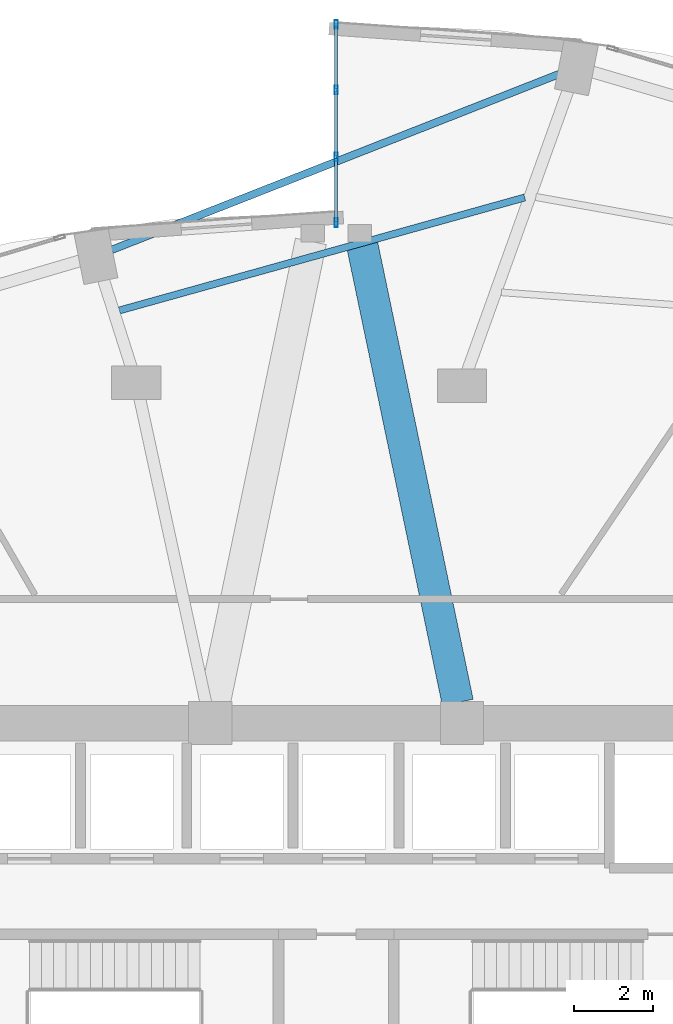
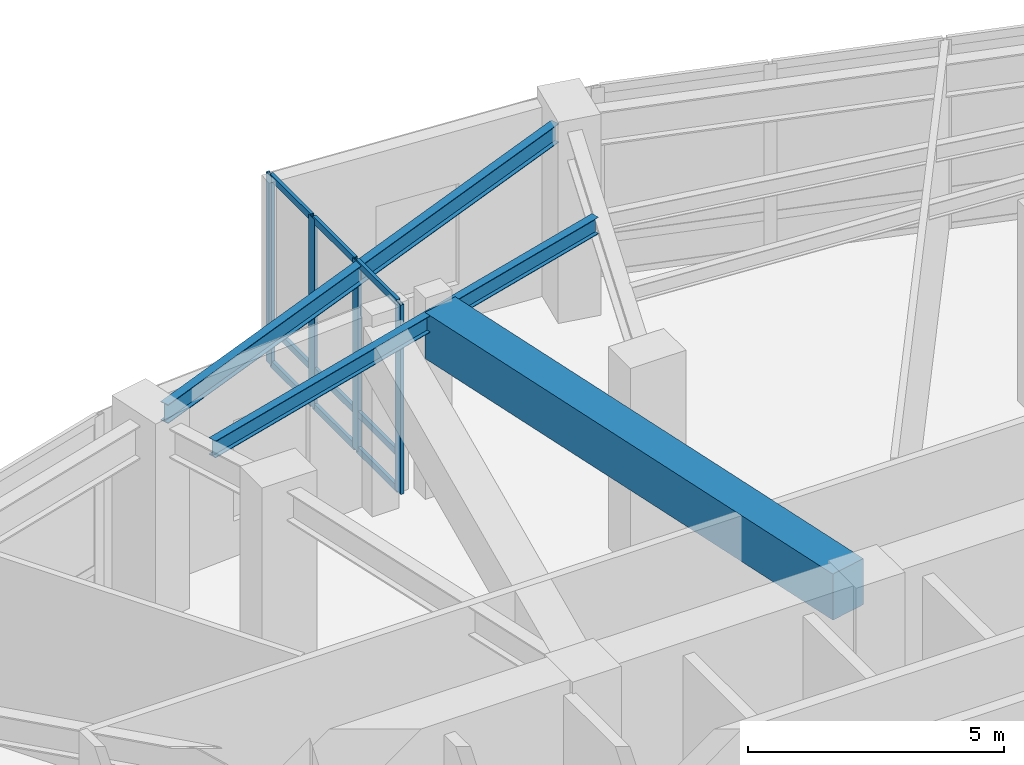
# One storey, part 15 of 24: 13 members, 3 beams, 1 element without a shape of its own.
"""IFC4 building model written with IfcOpenShell, lengths in metres."""

import ifcopenshell
import ifcopenshell.guid

model = None  # the IFC model being written
_history = None  # IfcOwnerHistory: only IFC2X3 demands one
_inside = {}  # id of a spatial element -> (the spatial element, [elements in it])
_under = {}  # id of a project, library or spatial element -> (it, [spatial elements below it])
_declared = {}  # id of a project -> (the project, [libraries it declares])
_typed = {}  # id of a type object -> (the type object, [elements of that type])
_made_of = {}  # id of a material, layer set ... -> (it, [elements and type objects made of it])


def new_model(schema):
    """Start an empty IFC model of exactly this schema.

    Asked for "IFC4X3", IfcOpenShell would pick the latest addendum, in which some entities
    have other attributes; the version numbers below select the first issue.
    IFC2X3 requires an IfcOwnerHistory on every rooted entity: one is made here for all.
    """
    global model, _history
    if schema == "IFC4X3":
        model = ifcopenshell.file(schema_version=(4, 3, 0, 0))
    else:
        model = ifcopenshell.file(schema=schema)
    _inside.clear()
    _under.clear()
    _declared.clear()
    _typed.clear()
    _made_of.clear()
    _history = None
    if model.schema == "IFC2X3":
        org = make("IfcOrganization", Name="unknown")
        user = make(
            "IfcPersonAndOrganization",
            ThePerson=make("IfcPerson", FamilyName="unknown"),
            TheOrganization=org,
        )
        app = make(
            "IfcApplication",
            ApplicationDeveloper=org,
            Version="unknown",
            ApplicationFullName="unknown",
            ApplicationIdentifier="unknown",
        )
        _history = make(
            "IfcOwnerHistory",
            OwningUser=user,
            OwningApplication=app,
            ChangeAction="ADDED",
            CreationDate=0,
        )
    return model


def make(cls, **values):
    """One entity of the class cls with the attributes given. An attribute that is None is left unset."""
    return model.create_entity(
        cls, **{name: value for name, value in values.items() if value is not None}
    )


def rooted(cls, **values):
    """An entity with a GlobalId (a new one), such as an element, a storey or a relation."""
    return make(cls, GlobalId=ifcopenshell.guid.new(), OwnerHistory=_history, **values)


def si_unit(unit_type, name, prefix=None):
    """IfcSIUnit, for example si_unit("LENGTHUNIT", "METRE", prefix="MILLI")."""
    return make("IfcSIUnit", UnitType=unit_type, Prefix=prefix, Name=name)


def assignment(units):
    """IfcUnitAssignment: the units of a project."""
    return None if units is None else make("IfcUnitAssignment", Units=units)


def point(xyz):
    """IfcCartesianPoint."""
    return None if xyz is None else make("IfcCartesianPoint", Coordinates=xyz)


def direction(xyz):
    """IfcDirection."""
    return None if xyz is None else make("IfcDirection", DirectionRatios=xyz)


def frame(location, z_axis=None, x_axis=None):
    """IfcAxis2Placement3D, a coordinate frame: its origin and axes. An axis left out is left unset."""
    return make(
        "IfcAxis2Placement3D",
        Location=point(location),
        Axis=direction(z_axis),
        RefDirection=direction(x_axis),
    )


def frame_2d(location, x_axis=None):
    """IfcAxis2Placement2D, a coordinate frame in the plane: its origin and x axis."""
    return make(
        "IfcAxis2Placement2D", Location=point(location), RefDirection=direction(x_axis)
    )


def origin():
    """The frame at (0, 0, 0) with its axes left unset."""
    return frame((0.0, 0.0, 0.0))


def origin_2d():
    """The frame at (0, 0) in the plane with its x axis left unset."""
    return frame_2d((0.0, 0.0))


def place(relative_to, where):
    """IfcLocalPlacement: puts the frame where relative to a parent placement (None: the world)."""
    return make(
        "IfcLocalPlacement", PlacementRelTo=relative_to, RelativePlacement=where
    )


def context(
    kind, dimensions, precision=None, world=None, true_north=None, identifier=None
):
    """IfcGeometricRepresentationContext, for example the 3D "Model" context."""
    return make(
        "IfcGeometricRepresentationContext",
        ContextIdentifier=identifier,
        ContextType=kind,
        CoordinateSpaceDimension=dimensions,
        Precision=precision,
        WorldCoordinateSystem=world,
        TrueNorth=true_north,
    )


def subcontext(parent, identifier, kind, view, scale=None):
    """IfcGeometricRepresentationSubContext, for example "Body" below "Model"."""
    return make(
        "IfcGeometricRepresentationSubContext",
        ContextIdentifier=identifier,
        ContextType=kind,
        ParentContext=parent,
        TargetScale=scale,
        TargetView=view,
    )


def project(units=None, contexts=None):
    """IfcProject with its units and contexts."""
    return rooted(
        "IfcProject",
        Name="project",
        RepresentationContexts=contexts,
        UnitsInContext=assignment(units),
    )


def spatial(cls, under=None, at=None, **own):
    """A site, building, storey or space (cls), placed at a placement, below another one or the project."""
    s = rooted(cls, ObjectPlacement=at, **own)
    if under is not None:
        _under.setdefault(under.id(), (under, []))[1].append(s)
    return s


def profile(cls, at=None, kind="AREA", **sizes):
    """A parametric profile (cls). Its sizes go by their IFC names, for example OverallWidth=200.0."""
    return make(cls, ProfileType=kind, Position=at, **sizes)


def rectangle(**sizes):
    """IfcRectangleProfileDef."""
    return profile("IfcRectangleProfileDef", **sizes)


def hollow_rectangle(**sizes):
    """IfcRectangleHollowProfileDef."""
    return profile("IfcRectangleHollowProfileDef", **sizes)


def i_section(**sizes):
    """IfcIShapeProfileDef."""
    return profile("IfcIShapeProfileDef", **sizes)


def extrude(swept, where, along, depth):
    """IfcExtrudedAreaSolid: the profile swept, set in the frame where, extruded along a direction by depth."""
    return make(
        "IfcExtrudedAreaSolid",
        SweptArea=swept,
        Position=where,
        ExtrudedDirection=direction(along),
        Depth=depth,
    )


def shape(context_of_items, identifier, shape_type, items):
    """IfcShapeRepresentation: the items that make up one representation, for example the "Body"."""
    return make(
        "IfcShapeRepresentation",
        ContextOfItems=context_of_items,
        RepresentationIdentifier=identifier,
        RepresentationType=shape_type,
        Items=items,
    )


def material(Name=None, Category=None):
    """IfcMaterial."""
    return make("IfcMaterial", Name=Name, Category=Category)


def layer(
    of_material, thickness, ventilated=None, Name=None, Category=None, Priority=None
):
    """IfcMaterialLayer: one layer of a wall or slab, of a material (None: an air gap)."""
    return make(
        "IfcMaterialLayer",
        Material=of_material,
        LayerThickness=thickness,
        IsVentilated=ventilated,
        Name=Name,
        Category=Category,
        Priority=Priority,
    )


def layer_set(layers, Name=None):
    """IfcMaterialLayerSet."""
    return make("IfcMaterialLayerSet", MaterialLayers=layers, LayerSetName=Name)


def material_profile(
    of_material, cross_section, Name=None, Category=None, Priority=None
):
    """IfcMaterialProfile: a cross section and its material."""
    return make(
        "IfcMaterialProfile",
        Name=Name,
        Material=of_material,
        Profile=cross_section,
        Priority=Priority,
        Category=Category,
    )


def profile_set(profiles, Name=None, composite=None):
    """IfcMaterialProfileSet."""
    return make(
        "IfcMaterialProfileSet",
        Name=Name,
        MaterialProfiles=profiles,
        CompositeProfile=composite,
    )


def made_of(thing, what):
    """Note that an element or type object is made of a material, layer set ...; save() writes the relation."""
    if what is not None:
        _made_of.setdefault(what.id(), (what, []))[1].append(thing)
    return thing


def type_object(cls, material=None, **own):
    """A type object (cls), such as IfcWallType, which elements share."""
    return made_of(rooted(cls, **own), material)


def element(
    cls,
    number,
    at=None,
    inside=None,
    cuts=None,
    type_object=None,
    material=None,
    context=None,
    identifier="Body",
    shape_type=None,
    held_by="IfcProductDefinitionShape",
    body=None,
    shapes=None,
    **own,
):
    """One element of the class cls, such as IfcWall. Its Tag is "e" and its number.

    at: its placement. inside: the storey or other place that contains it. cuts: it is an
    opening in that element (IfcRelVoidsElement). A single representation is given by context,
    identifier, shape_type and body (its items); several are given by shapes. held_by: the class
    of the entity that holds the representations. save() writes the other relations.
    """
    e = rooted(cls, Tag="e%d" % number, ObjectPlacement=at, **own)
    if body is not None:
        shapes = [shape(context, identifier, shape_type, body)]
    if shapes is not None:
        e.Representation = make(held_by, Representations=shapes)
    if inside is not None:
        _inside.setdefault(inside.id(), (inside, []))[1].append(e)
    if cuts is not None:
        rooted(
            "IfcRelVoidsElement", RelatingBuildingElement=cuts, RelatedOpeningElement=e
        )
    if type_object is not None:
        _typed.setdefault(type_object.id(), (type_object, []))[1].append(e)
    return made_of(e, material)


def aggregate(whole, parts):
    """IfcRelAggregates: a whole, such as a stair, and the parts it consists of."""
    return rooted("IfcRelAggregates", RelatingObject=whole, RelatedObjects=parts)


def save(model, path):
    """Write the relations noted so far, then the file.

    IfcRelAggregates (storeys below a building ...), IfcRelContainedInSpatialStructure (elements
    in a storey), IfcRelDefinesByType, IfcRelAssociatesMaterial and IfcRelDeclares: one each for
    every whole, place, type object, material and project.
    """
    for whole, parts in _under.values():
        aggregate(whole, parts)
    for where, things in _inside.values():
        rooted(
            "IfcRelContainedInSpatialStructure",
            RelatedElements=things,
            RelatingStructure=where,
        )
    for kind, things in _typed.values():
        rooted("IfcRelDefinesByType", RelatedObjects=things, RelatingType=kind)
    for what, things in _made_of.values():
        rooted("IfcRelAssociatesMaterial", RelatedObjects=things, RelatingMaterial=what)
    for by, libraries in _declared.values():
        rooted("IfcRelDeclares", RelatingContext=by, RelatedDefinitions=libraries)
    model.write(path)


model = new_model("IFC4")

# Units and contexts
model_context = context("Model", 3, precision=1e-05, world=origin(), true_north=direction((0.0, 1.0)))
body_context = subcontext(model_context, "Body", "Model", "MODEL_VIEW")
ifc_project = project(units=[si_unit("LENGTHUNIT", "METRE"), si_unit("AREAUNIT", "SQUARE_METRE"), si_unit("VOLUMEUNIT", "CUBIC_METRE"), si_unit("PLANEANGLEUNIT", "RADIAN"), si_unit("MASSUNIT", "GRAM", prefix="KILO")], contexts=[model_context])

# Site, building, storey
site_placement = place(None, origin())
site = spatial("IfcSite", under=ifc_project, at=site_placement, CompositionType="ELEMENT")
building_placement = place(site_placement, origin())
building = spatial("IfcBuilding", under=site, at=building_placement, Name="Lazwardi Medical Tower", CompositionType="ELEMENT")
storey_placement = place(building_placement, frame((0.0, 0.0, 15.60009765625)))
storey = spatial("IfcBuildingStorey", under=building, at=storey_placement, Name="L03", CompositionType="ELEMENT", Elevation=15.60009765625)

# Beams
ifc_material_1 = material(Name="Concrete C70/85", Category="concrete")
ifc_material_profile_1 = material_profile(ifc_material_1, rectangle(XDim=0.800048828125, YDim=1.10009765625, at=origin_2d()), Name="RC 800x1100")
ifc_profile_set_1 = profile_set([ifc_material_profile_1], Name="Concrete C70/85")
beam_type_1 = type_object("IfcBeamType", Name="BM-CB-RC1", PredefinedType="LINTEL", material=ifc_profile_set_1)
beam_1_placement = place(storey_placement, frame((39.090576171875, 36.123779296875, 3.969970703125), z_axis=(-0.204429747009, 0.978881238219, 0.0), x_axis=(-0.978881238219, -0.204429747009, 0.0)))
element("IfcBeam", 1, at=beam_1_placement, inside=storey, type_object=beam_type_1, Name="Core coupling lintel CB-01 PL2 L03", PredefinedType="LINTEL", context=body_context, shape_type="SweptSolid", body=[
    extrude(rectangle(XDim=0.800048828125, YDim=1.10009765625, at=origin_2d()), origin(), (0.0, 0.0, 1.0), 11.9736328125),
])
ifc_material_2 = material(Name="Steel S355", Category="steel")
ifc_material_profile_2 = material_profile(ifc_material_2, i_section(OverallWidth=0.179931640625, OverallDepth=0.39990234375, WebThickness=0.008544921875, FlangeThickness=0.013427734375, at=origin_2d()), Name="IPE 400")
ifc_profile_set_2 = profile_set([ifc_material_profile_2], Name="Steel S355")
beam_type_2 = type_object("IfcBeamType", Name="BM-SJ-01", PredefinedType="JOIST", material=ifc_profile_set_2)
beam_2_placement = place(storey_placement, frame((40.7919921875, 48.96044921875, 4.31982421875), z_axis=(-0.963291323829, -0.268458237788, 0.0), x_axis=(0.268458237788, -0.963291323829, 0.0)))
element("IfcBeam", 2, at=beam_2_placement, inside=storey, type_object=beam_type_2, Name="Secondary joist SJ-01 RO1 B08 L03", PredefinedType="JOIST", context=body_context, shape_type="SweptSolid", body=[
    extrude(i_section(OverallWidth=0.179931640625, OverallDepth=0.39990234375, WebThickness=0.008544921875, FlangeThickness=0.013427734375, at=origin_2d()), origin(), (0.0, 0.0, 1.0), 10.698486328125),
])
ifc_material_profile_3 = material_profile(ifc_material_2, i_section(OverallWidth=0.18994140625, OverallDepth=0.449951171875, WebThickness=0.009521484375, FlangeThickness=0.0146484375, at=origin_2d()), Name="IPE 450")
ifc_profile_set_3 = profile_set([ifc_material_profile_3], Name="Steel S355")
beam_type_3 = type_object("IfcBeamType", Name="BM-SP-01", PredefinedType="SPANDREL", material=ifc_profile_set_3)
beam_3_placement = place(storey_placement, frame((41.7060546875, 52.1142578125, 4.294921875), z_axis=(-0.930695337123, -0.365795283536, 0.0), x_axis=(0.365795283536, -0.930695337123, 0.0)))
element("IfcBeam", 3, at=beam_3_placement, inside=storey, type_object=beam_type_3, Name="Spandrel beam SP-01 B08 L03", PredefinedType="SPANDREL", context=body_context, shape_type="SweptSolid", body=[
    extrude(i_section(OverallWidth=0.18994140625, OverallDepth=0.449951171875, WebThickness=0.009521484375, FlangeThickness=0.0146484375, at=origin_2d()), origin(), (0.0, 0.0, 1.0), 12.261962890625),
])

# Curtain wall, members
ifc_material_3 = material(Name="Anodised bronze aluminium and solar control glazing", Category="aluminium")
ifc_layer = layer(ifc_material_3, 0.2099609375)
ifc_layer_set = layer_set([ifc_layer], Name="Anodised bronze aluminium and solar control glazing")
curtain_wall_type = type_object("IfcCurtainWallType", Name="CW-SYS-06", PredefinedType="NOTDEFINED", material=ifc_layer_set)
curtain_wall_placement = place(storey_placement, origin())
curtain_wall = element("IfcCurtainWall", 4, at=curtain_wall_placement, inside=storey, type_object=curtain_wall_type, Name="L03 Unitised bronze curtain wall CW-06", PredefinedType="NOTDEFINED")
ifc_material_4 = material(Name="Anodised bronze aluminium", Category="aluminium")
ifc_material_profile_4 = material_profile(ifc_material_4, hollow_rectangle(XDim=0.074951171875, YDim=0.219970703125, WallThickness=0.00390625, at=origin_2d()), Name="ALU-MULLION 220x75x4")
ifc_profile_set_4 = profile_set([ifc_material_profile_4], Name="Anodised bronze aluminium")
member_type_1 = type_object("IfcMemberType", Name="CW-MUL-01", PredefinedType="MULLION", material=ifc_profile_set_4)
member_1_placement = place(storey_placement, frame((36.0, 53.362548828125, 0.0), z_axis=(0.0, 0.0, 1.0), x_axis=(1.0, 0.0, 0.0)))
member_1 = element("IfcMember", 5, at=member_1_placement, type_object=member_type_1, Name="CW-06 mullion 1", PredefinedType="MULLION", context=body_context, shape_type="SweptSolid", body=[
    extrude(hollow_rectangle(XDim=0.074951171875, YDim=0.219970703125, WallThickness=0.00390625, at=origin_2d()), origin(), (0.0, 0.0, 1.0), 4.52001953125),
])
member_2_placement = place(storey_placement, frame((36.0, 51.693359375, 0.0), z_axis=(0.0, 0.0, 1.0), x_axis=(1.0, 0.0, 0.0)))
member_2 = element("IfcMember", 6, at=member_2_placement, type_object=member_type_1, Name="CW-06 mullion 2", PredefinedType="MULLION", context=body_context, shape_type="SweptSolid", body=[
    extrude(hollow_rectangle(XDim=0.074951171875, YDim=0.219970703125, WallThickness=0.00390625, at=origin_2d()), origin(), (0.0, 0.0, 1.0), 4.52001953125),
])
member_3_placement = place(storey_placement, frame((36.0, 49.986572265625, 0.0), z_axis=(0.0, 0.0, 1.0), x_axis=(1.0, 0.0, 0.0)))
member_3 = element("IfcMember", 7, at=member_3_placement, type_object=member_type_1, Name="CW-06 mullion 3", PredefinedType="MULLION", context=body_context, shape_type="SweptSolid", body=[
    extrude(hollow_rectangle(XDim=0.074951171875, YDim=0.219970703125, WallThickness=0.00390625, at=origin_2d()), origin(), (0.0, 0.0, 1.0), 4.52001953125),
])
member_4_placement = place(storey_placement, frame((36.0, 48.3173828125, 0.0), z_axis=(0.0, 0.0, 1.0), x_axis=(1.0, 0.0, 0.0)))
member_4 = element("IfcMember", 8, at=member_4_placement, type_object=member_type_1, Name="CW-06 mullion 4", PredefinedType="MULLION", context=body_context, shape_type="SweptSolid", body=[
    extrude(hollow_rectangle(XDim=0.074951171875, YDim=0.219970703125, WallThickness=0.00390625, at=origin_2d()), origin(), (0.0, 0.0, 1.0), 4.52001953125),
])
ifc_material_profile_5 = material_profile(ifc_material_4, hollow_rectangle(XDim=0.074951171875, YDim=0.159912109375, WallThickness=0.00390625, at=origin_2d()), Name="ALU-TRANSOM 160x75x4")
ifc_profile_set_5 = profile_set([ifc_material_profile_5], Name="Anodised bronze aluminium")
member_type_2 = type_object("IfcMemberType", Name="CW-TRN-01", PredefinedType="USERDEFINED", material=ifc_profile_set_5)
member_5_placement = place(storey_placement, frame((36.0, 53.324951171875, 0.037353515625), z_axis=(0.0, -1.0, 0.0), x_axis=(1.0, 0.0, 0.0)))
member_5 = element("IfcMember", 9, at=member_5_placement, type_object=member_type_2, Name="CW-06 transom 1.1", ObjectType="TRANSOM", PredefinedType="USERDEFINED", context=body_context, shape_type="SweptSolid", body=[
    extrude(hollow_rectangle(XDim=0.074951171875, YDim=0.159912109375, WallThickness=0.00390625, at=origin_2d()), origin(), (0.0, 0.0, 1.0), 1.59423828125),
])
member_6_placement = place(storey_placement, frame((36.0, 53.324951171875, 0.89990234375), z_axis=(0.0, -1.0, 0.0), x_axis=(1.0, 0.0, 0.0)))
member_6 = element("IfcMember", 10, at=member_6_placement, type_object=member_type_2, Name="CW-06 transom 1.2", ObjectType="TRANSOM", PredefinedType="USERDEFINED", context=body_context, shape_type="SweptSolid", body=[
    extrude(hollow_rectangle(XDim=0.074951171875, YDim=0.159912109375, WallThickness=0.00390625, at=origin_2d()), origin(), (0.0, 0.0, 1.0), 1.59423828125),
])
member_7_placement = place(storey_placement, frame((36.0, 53.324951171875, 4.482421875), z_axis=(0.0, -1.0, 0.0), x_axis=(1.0, 0.0, 0.0)))
member_7 = element("IfcMember", 11, at=member_7_placement, type_object=member_type_2, Name="CW-06 transom 1.3", ObjectType="TRANSOM", PredefinedType="USERDEFINED", context=body_context, shape_type="SweptSolid", body=[
    extrude(hollow_rectangle(XDim=0.074951171875, YDim=0.159912109375, WallThickness=0.00390625, at=origin_2d()), origin(), (0.0, 0.0, 1.0), 1.59423828125),
])
member_8_placement = place(storey_placement, frame((36.0, 51.65576171875, 0.037353515625), z_axis=(0.0, -1.0, 0.0), x_axis=(1.0, 0.0, 0.0)))
member_8 = element("IfcMember", 12, at=member_8_placement, type_object=member_type_2, Name="CW-06 transom 2.1", ObjectType="TRANSOM", PredefinedType="USERDEFINED", context=body_context, shape_type="SweptSolid", body=[
    extrude(hollow_rectangle(XDim=0.074951171875, YDim=0.159912109375, WallThickness=0.00390625, at=origin_2d()), origin(), (0.0, 0.0, 1.0), 1.631591796875),
])
member_9_placement = place(storey_placement, frame((36.0, 51.65576171875, 0.89990234375), z_axis=(0.0, -1.0, 0.0), x_axis=(1.0, 0.0, 0.0)))
member_9 = element("IfcMember", 13, at=member_9_placement, type_object=member_type_2, Name="CW-06 transom 2.2", ObjectType="TRANSOM", PredefinedType="USERDEFINED", context=body_context, shape_type="SweptSolid", body=[
    extrude(hollow_rectangle(XDim=0.074951171875, YDim=0.159912109375, WallThickness=0.00390625, at=origin_2d()), origin(), (0.0, 0.0, 1.0), 1.631591796875),
])
member_10_placement = place(storey_placement, frame((36.0, 51.65576171875, 4.482421875), z_axis=(0.0, -1.0, 0.0), x_axis=(1.0, 0.0, 0.0)))
member_10 = element("IfcMember", 14, at=member_10_placement, type_object=member_type_2, Name="CW-06 transom 2.3", ObjectType="TRANSOM", PredefinedType="USERDEFINED", context=body_context, shape_type="SweptSolid", body=[
    extrude(hollow_rectangle(XDim=0.074951171875, YDim=0.159912109375, WallThickness=0.00390625, at=origin_2d()), origin(), (0.0, 0.0, 1.0), 1.631591796875),
])
member_11_placement = place(storey_placement, frame((36.0, 49.94921875, 0.037353515625), z_axis=(0.0, -1.0, 0.0), x_axis=(1.0, 0.0, 0.0)))
member_11 = element("IfcMember", 15, at=member_11_placement, type_object=member_type_2, Name="CW-06 transom 3.1", ObjectType="TRANSOM", PredefinedType="USERDEFINED", context=body_context, shape_type="SweptSolid", body=[
    extrude(hollow_rectangle(XDim=0.074951171875, YDim=0.159912109375, WallThickness=0.00390625, at=origin_2d()), origin(), (0.0, 0.0, 1.0), 1.59423828125),
])
member_12_placement = place(storey_placement, frame((36.0, 49.94921875, 0.89990234375), z_axis=(0.0, -1.0, 0.0), x_axis=(1.0, 0.0, 0.0)))
member_12 = element("IfcMember", 16, at=member_12_placement, type_object=member_type_2, Name="CW-06 transom 3.2", ObjectType="TRANSOM", PredefinedType="USERDEFINED", context=body_context, shape_type="SweptSolid", body=[
    extrude(hollow_rectangle(XDim=0.074951171875, YDim=0.159912109375, WallThickness=0.00390625, at=origin_2d()), origin(), (0.0, 0.0, 1.0), 1.59423828125),
])
member_13_placement = place(storey_placement, frame((36.0, 49.94921875, 4.482421875), z_axis=(0.0, -1.0, 0.0), x_axis=(1.0, 0.0, 0.0)))
member_13 = element("IfcMember", 17, at=member_13_placement, type_object=member_type_2, Name="CW-06 transom 3.3", ObjectType="TRANSOM", PredefinedType="USERDEFINED", context=body_context, shape_type="SweptSolid", body=[
    extrude(hollow_rectangle(XDim=0.074951171875, YDim=0.159912109375, WallThickness=0.00390625, at=origin_2d()), origin(), (0.0, 0.0, 1.0), 1.59423828125),
])
aggregate(curtain_wall, [member_1, member_2, member_3, member_4, member_5, member_6, member_7, member_8, member_9, member_10, member_11, member_12, member_13])

save(model, "model.ifc")
